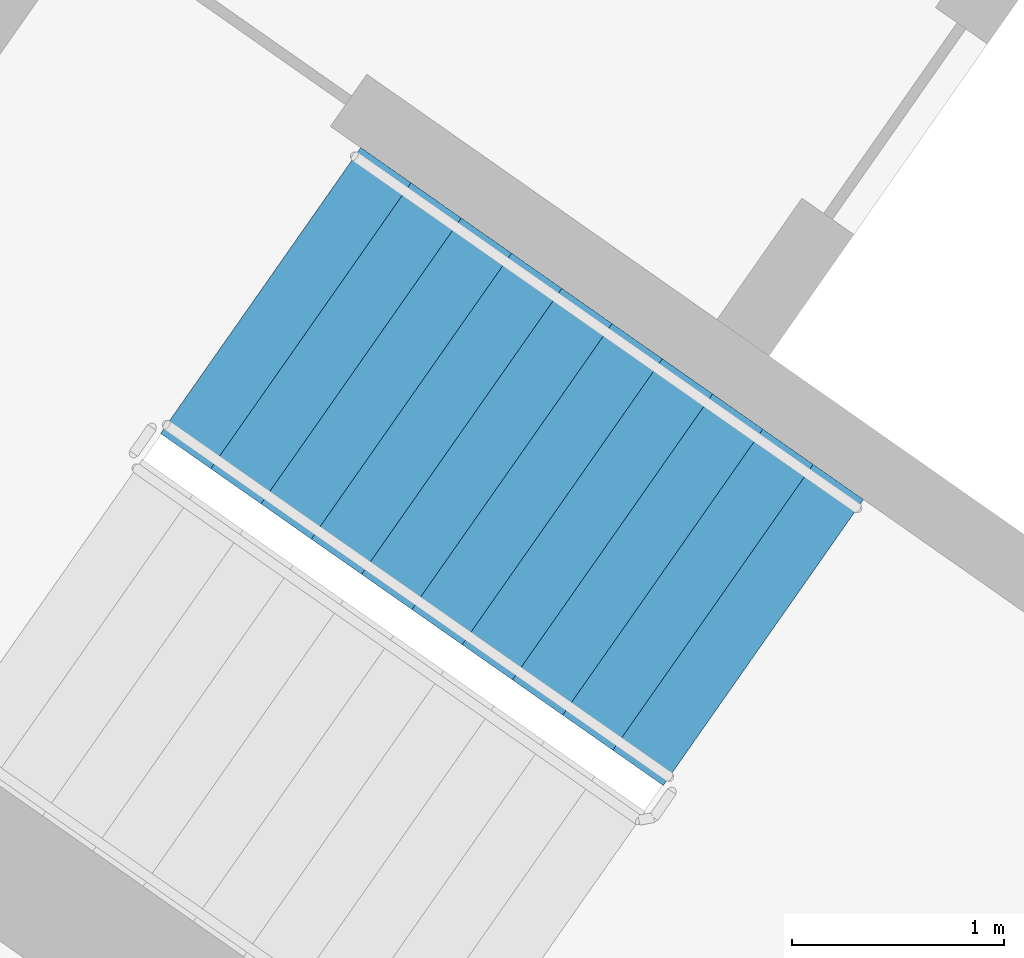
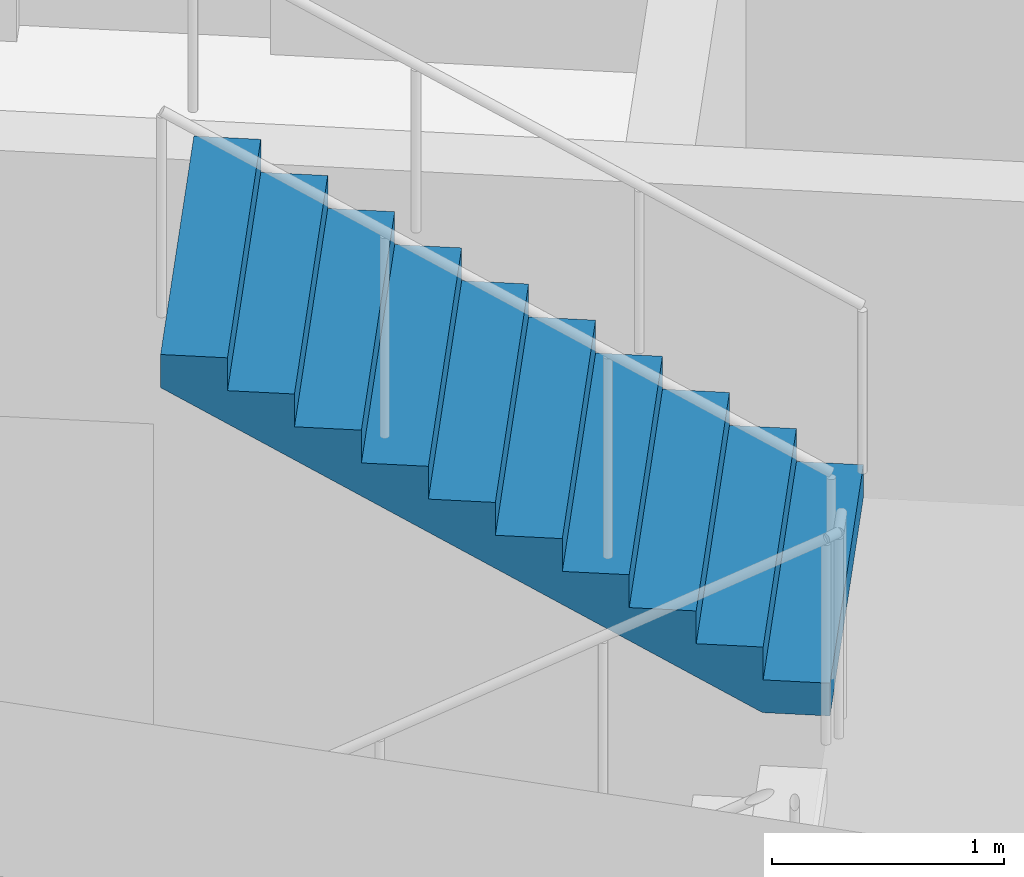
# One storey, part 11 of 28: 1 stair flight, 1 element without a shape of its own.
"""IFC4 building model written with IfcOpenShell, lengths in metres."""

from ifc_helpers import new_model, si_unit, direction, frame, origin, place, context, subcontext, project, spatial, faceted_brep, material, type_object, element, aggregate, save


model = new_model("IFC4")

# Units and contexts
model_context = context("Model", 3, precision=1e-05, world=origin(), true_north=direction((0.0, 1.0)))
body_context = subcontext(model_context, "Body", "Model", "MODEL_VIEW")
ifc_project = project(units=[si_unit("LENGTHUNIT", "METRE"), si_unit("AREAUNIT", "SQUARE_METRE"), si_unit("VOLUMEUNIT", "CUBIC_METRE"), si_unit("PLANEANGLEUNIT", "RADIAN"), si_unit("MASSUNIT", "GRAM", prefix="KILO")], contexts=[model_context])

# Site, building, storey
site_placement = place(None, origin())
site = spatial("IfcSite", under=ifc_project, at=site_placement, CompositionType="ELEMENT")
building_placement = place(site_placement, origin())
building = spatial("IfcBuilding", under=site, at=building_placement, Name="Qamariyya Broadcast Tower", CompositionType="ELEMENT")
storey_placement = place(building_placement, frame((0.0, 0.0, 218.89990234375)))
storey = spatial("IfcBuildingStorey", under=building, at=storey_placement, Name="L52", CompositionType="ELEMENT", Elevation=218.89990234375)

# Stair, stair flight
ifc_material = material(Name="Concrete C50/60", Category="concrete")
stair_type = type_object("IfcStairType", Name="Exit stair 22 risers of 173 mm", PredefinedType="HALF_TURN_STAIR", material=ifc_material)
stair_placement = place(storey_placement, origin())
stair = element("IfcStair", 1, at=stair_placement, inside=storey, type_object=stair_type, Name="L52 Stair W1", PredefinedType="HALF_TURN_STAIR")
stair_flight_type = type_object("IfcStairFlightType", Name="Exit stair flight 11 risers of 173 mm", PredefinedType="STRAIGHT", material=ifc_material)
stair_flight_placement = place(storey_placement, frame((-43.660888671875, -57.17138671875, 1.900146484375), z_axis=(0.0, 0.0, 1.0), x_axis=(-0.819152044289, 0.573576436351, 0.0)))
stair_flight = element("IfcStairFlight", 2, at=stair_flight_placement, type_object=stair_flight_type, Name="ST-W1 flight 2", NumberOfRisers=11, NumberOfTreads=10, PredefinedType="STRAIGHT", RiserHeight=0.172727273, TreadLength=0.29, context=body_context, shape_type="Brep", body=[
    faceted_brep([(0.0, 0.824951171875, 0.0), (0.0, 0.824951171875, 0.172607421875), (0.2900390625, 0.824951171875, 0.172607421875), (0.2900390625, 0.824951171875, 0.345458984375), (0.580078125, 0.824951171875, 0.345458984375), (0.580078125, 0.824951171875, 0.51806640625), (0.8701171875, 0.824951171875, 0.51806640625), (0.8701171875, 0.824951171875, 0.69091796875), (1.159912109375, 0.824951171875, 0.69091796875), (1.159912109375, 0.824951171875, 0.863525390625), (1.449951171875, 0.824951171875, 0.863525390625), (1.449951171875, 0.824951171875, 1.036376953125), (1.739990234375, 0.824951171875, 1.036376953125), (1.739990234375, 0.824951171875, 1.208984375), (2.030029296875, 0.824951171875, 1.208984375), (2.030029296875, 0.824951171875, 1.3818359375), (2.320068359375, 0.824951171875, 1.3818359375), (2.320068359375, 0.824951171875, 1.554443359375), (2.610107421875, 0.824951171875, 1.554443359375), (2.610107421875, 0.824951171875, 1.727294921875), (2.89990234375, 0.824951171875, 1.727294921875), (2.89990234375, 0.824951171875, 1.552734375), (0.29296875, 0.824951171875, 0.0), (0.29296875, -0.824951171875, 0.0), (2.89990234375, -0.824951171875, 1.552734375), (2.89990234375, -0.824951171875, 1.727294921875), (2.610107421875, -0.824951171875, 1.727294921875), (2.610107421875, -0.824951171875, 1.554443359375), (2.320068359375, -0.824951171875, 1.554443359375), (2.320068359375, -0.824951171875, 1.3818359375), (2.030029296875, -0.824951171875, 1.3818359375), (2.030029296875, -0.824951171875, 1.208984375), (1.739990234375, -0.824951171875, 1.208984375), (1.739990234375, -0.824951171875, 1.036376953125), (1.449951171875, -0.824951171875, 1.036376953125), (1.449951171875, -0.824951171875, 0.863525390625), (1.159912109375, -0.824951171875, 0.863525390625), (1.159912109375, -0.824951171875, 0.69091796875), (0.8701171875, -0.824951171875, 0.69091796875), (0.8701171875, -0.824951171875, 0.51806640625), (0.580078125, -0.824951171875, 0.51806640625), (0.580078125, -0.824951171875, 0.345458984375), (0.2900390625, -0.824951171875, 0.345458984375), (0.2900390625, -0.824951171875, 0.172607421875), (0.0, -0.824951171875, 0.172607421875), (0.0, -0.824951171875, 0.0), (0.0, 0.10009765625, 0.0), (0.0, 0.086669921875, 0.0), (0.0, 0.0732421875, 0.0), (0.0, 0.06005859375, 0.0), (0.0, 0.046630859375, 0.0), (0.0, 0.033447265625, 0.0), (0.0, 0.02001953125, 0.0), (0.0, 0.006591796875, 0.0), (0.0, -0.006591796875, 0.0), (0.0, -0.02001953125, 0.0), (0.0, -0.033447265625, 0.0), (0.0, -0.046630859375, 0.0), (0.0, -0.06005859375, 0.0), (0.0, -0.0732421875, 0.0), (0.0, -0.086669921875, 0.0), (0.0, -0.10009765625, 0.0), (0.0, -0.10009765625, 0.172607421875), (0.0, -0.086669921875, 0.172607421875), (0.0, -0.0732421875, 0.172607421875), (0.0, -0.06005859375, 0.172607421875), (0.0, -0.046630859375, 0.172607421875), (0.0, -0.033447265625, 0.172607421875), (0.0, -0.02001953125, 0.172607421875), (0.0, -0.006591796875, 0.172607421875), (0.0, 0.006591796875, 0.172607421875), (0.0, 0.02001953125, 0.172607421875), (0.0, 0.033447265625, 0.172607421875), (0.0, 0.046630859375, 0.172607421875), (0.0, 0.06005859375, 0.172607421875), (0.0, 0.0732421875, 0.172607421875), (0.0, 0.086669921875, 0.172607421875), (0.0, 0.10009765625, 0.172607421875), (0.2900390625, -0.10009765625, 0.172607421875), (0.2900390625, -0.086669921875, 0.172607421875), (0.2900390625, -0.0732421875, 0.172607421875), (0.2900390625, -0.06005859375, 0.172607421875), (0.2900390625, -0.046630859375, 0.172607421875), (0.2900390625, -0.033447265625, 0.172607421875), (0.2900390625, -0.02001953125, 0.172607421875), (0.2900390625, -0.006591796875, 0.172607421875), (0.2900390625, 0.006591796875, 0.172607421875), (0.2900390625, 0.02001953125, 0.172607421875), (0.2900390625, 0.033447265625, 0.172607421875), (0.2900390625, 0.046630859375, 0.172607421875), (0.2900390625, 0.06005859375, 0.172607421875), (0.2900390625, 0.0732421875, 0.172607421875), (0.2900390625, 0.086669921875, 0.172607421875), (0.2900390625, 0.10009765625, 0.172607421875), (0.2900390625, -0.10009765625, 0.345458984375), (0.2900390625, -0.086669921875, 0.345458984375), (0.2900390625, -0.0732421875, 0.345458984375), (0.2900390625, -0.06005859375, 0.345458984375), (0.2900390625, -0.046630859375, 0.345458984375), (0.2900390625, -0.033447265625, 0.345458984375), (0.2900390625, -0.02001953125, 0.345458984375), (0.2900390625, -0.006591796875, 0.345458984375), (0.2900390625, 0.006591796875, 0.345458984375), (0.2900390625, 0.02001953125, 0.345458984375), (0.2900390625, 0.033447265625, 0.345458984375), (0.2900390625, 0.046630859375, 0.345458984375), (0.2900390625, 0.06005859375, 0.345458984375), (0.2900390625, 0.0732421875, 0.345458984375), (0.2900390625, 0.086669921875, 0.345458984375), (0.2900390625, 0.10009765625, 0.345458984375), (0.580078125, -0.10009765625, 0.345458984375), (0.580078125, -0.086669921875, 0.345458984375), (0.580078125, -0.0732421875, 0.345458984375), (0.580078125, -0.06005859375, 0.345458984375), (0.580078125, -0.046630859375, 0.345458984375), (0.580078125, -0.033447265625, 0.345458984375), (0.580078125, -0.02001953125, 0.345458984375), (0.580078125, -0.006591796875, 0.345458984375), (0.580078125, 0.006591796875, 0.345458984375), (0.580078125, 0.02001953125, 0.345458984375), (0.580078125, 0.033447265625, 0.345458984375), (0.580078125, 0.046630859375, 0.345458984375), (0.580078125, 0.06005859375, 0.345458984375), (0.580078125, 0.0732421875, 0.345458984375), (0.580078125, 0.086669921875, 0.345458984375), (0.580078125, 0.10009765625, 0.345458984375), (0.580078125, -0.10009765625, 0.51806640625), (0.580078125, -0.086669921875, 0.51806640625), (0.580078125, -0.0732421875, 0.51806640625), (0.580078125, -0.06005859375, 0.51806640625), (0.580078125, -0.046630859375, 0.51806640625), (0.580078125, -0.033447265625, 0.51806640625), (0.580078125, -0.02001953125, 0.51806640625), (0.580078125, -0.006591796875, 0.51806640625), (0.580078125, 0.006591796875, 0.51806640625), (0.580078125, 0.02001953125, 0.51806640625), (0.580078125, 0.033447265625, 0.51806640625), (0.580078125, 0.046630859375, 0.51806640625), (0.580078125, 0.06005859375, 0.51806640625), (0.580078125, 0.0732421875, 0.51806640625), (0.580078125, 0.086669921875, 0.51806640625), (0.580078125, 0.10009765625, 0.51806640625), (0.8701171875, -0.10009765625, 0.51806640625), (0.8701171875, -0.086669921875, 0.51806640625), (0.8701171875, -0.0732421875, 0.51806640625), (0.8701171875, -0.06005859375, 0.51806640625), (0.8701171875, -0.046630859375, 0.51806640625), (0.8701171875, -0.033447265625, 0.51806640625), (0.8701171875, -0.02001953125, 0.51806640625), (0.8701171875, -0.006591796875, 0.51806640625), (0.8701171875, 0.006591796875, 0.51806640625), (0.8701171875, 0.02001953125, 0.51806640625), (0.8701171875, 0.033447265625, 0.51806640625), (0.8701171875, 0.046630859375, 0.51806640625), (0.8701171875, 0.06005859375, 0.51806640625), (0.8701171875, 0.0732421875, 0.51806640625), (0.8701171875, 0.086669921875, 0.51806640625), (0.8701171875, 0.10009765625, 0.51806640625), (0.8701171875, -0.10009765625, 0.69091796875), (0.8701171875, -0.086669921875, 0.69091796875), (0.8701171875, -0.0732421875, 0.69091796875), (0.8701171875, -0.06005859375, 0.69091796875), (0.8701171875, -0.046630859375, 0.69091796875), (0.8701171875, -0.033447265625, 0.69091796875), (0.8701171875, -0.02001953125, 0.69091796875), (0.8701171875, -0.006591796875, 0.69091796875), (0.8701171875, 0.006591796875, 0.69091796875), (0.8701171875, 0.02001953125, 0.69091796875), (0.8701171875, 0.033447265625, 0.69091796875), (0.8701171875, 0.046630859375, 0.69091796875), (0.8701171875, 0.06005859375, 0.69091796875), (0.8701171875, 0.0732421875, 0.69091796875), (0.8701171875, 0.086669921875, 0.69091796875), (0.8701171875, 0.10009765625, 0.69091796875), (1.159912109375, -0.10009765625, 0.69091796875), (1.159912109375, -0.086669921875, 0.69091796875), (1.159912109375, -0.0732421875, 0.69091796875), (1.159912109375, -0.06005859375, 0.69091796875), (1.159912109375, -0.046630859375, 0.69091796875), (1.159912109375, -0.033447265625, 0.69091796875), (1.159912109375, -0.02001953125, 0.69091796875), (1.159912109375, -0.006591796875, 0.69091796875), (1.159912109375, 0.006591796875, 0.69091796875), (1.159912109375, 0.02001953125, 0.69091796875), (1.159912109375, 0.033447265625, 0.69091796875), (1.159912109375, 0.046630859375, 0.69091796875), (1.159912109375, 0.06005859375, 0.69091796875), (1.159912109375, 0.0732421875, 0.69091796875), (1.159912109375, 0.086669921875, 0.69091796875), (1.159912109375, 0.10009765625, 0.69091796875), (1.159912109375, -0.10009765625, 0.863525390625), (1.159912109375, -0.086669921875, 0.863525390625), (1.159912109375, -0.0732421875, 0.863525390625), (1.159912109375, -0.06005859375, 0.863525390625), (1.159912109375, -0.046630859375, 0.863525390625), (1.159912109375, -0.033447265625, 0.863525390625), (1.159912109375, -0.02001953125, 0.863525390625), (1.159912109375, -0.006591796875, 0.863525390625), (1.159912109375, 0.006591796875, 0.863525390625), (1.159912109375, 0.02001953125, 0.863525390625), (1.159912109375, 0.033447265625, 0.863525390625), (1.159912109375, 0.046630859375, 0.863525390625), (1.159912109375, 0.06005859375, 0.863525390625), (1.159912109375, 0.0732421875, 0.863525390625), (1.159912109375, 0.086669921875, 0.863525390625), (1.159912109375, 0.10009765625, 0.863525390625), (1.449951171875, -0.10009765625, 0.863525390625), (1.449951171875, -0.086669921875, 0.863525390625), (1.449951171875, -0.0732421875, 0.863525390625), (1.449951171875, -0.06005859375, 0.863525390625), (1.449951171875, -0.046630859375, 0.863525390625), (1.449951171875, -0.033447265625, 0.863525390625), (1.449951171875, -0.02001953125, 0.863525390625), (1.449951171875, -0.006591796875, 0.863525390625), (1.449951171875, 0.006591796875, 0.863525390625), (1.449951171875, 0.02001953125, 0.863525390625), (1.449951171875, 0.033447265625, 0.863525390625), (1.449951171875, 0.046630859375, 0.863525390625), (1.449951171875, 0.06005859375, 0.863525390625), (1.449951171875, 0.0732421875, 0.863525390625), (1.449951171875, 0.086669921875, 0.863525390625), (1.449951171875, 0.10009765625, 0.863525390625), (1.449951171875, -0.10009765625, 1.036376953125), (1.449951171875, -0.086669921875, 1.036376953125), (1.449951171875, -0.0732421875, 1.036376953125), (1.449951171875, -0.06005859375, 1.036376953125), (1.449951171875, -0.046630859375, 1.036376953125), (1.449951171875, -0.033447265625, 1.036376953125), (1.449951171875, -0.02001953125, 1.036376953125), (1.449951171875, -0.006591796875, 1.036376953125), (1.449951171875, 0.006591796875, 1.036376953125), (1.449951171875, 0.02001953125, 1.036376953125), (1.449951171875, 0.033447265625, 1.036376953125), (1.449951171875, 0.046630859375, 1.036376953125), (1.449951171875, 0.06005859375, 1.036376953125), (1.449951171875, 0.0732421875, 1.036376953125), (1.449951171875, 0.086669921875, 1.036376953125), (1.449951171875, 0.10009765625, 1.036376953125), (1.739990234375, -0.10009765625, 1.036376953125), (1.739990234375, -0.086669921875, 1.036376953125), (1.739990234375, -0.0732421875, 1.036376953125), (1.739990234375, -0.06005859375, 1.036376953125), (1.739990234375, -0.046630859375, 1.036376953125), (1.739990234375, -0.033447265625, 1.036376953125), (1.739990234375, -0.02001953125, 1.036376953125), (1.739990234375, -0.006591796875, 1.036376953125), (1.739990234375, 0.006591796875, 1.036376953125), (1.739990234375, 0.02001953125, 1.036376953125), (1.739990234375, 0.033447265625, 1.036376953125), (1.739990234375, 0.046630859375, 1.036376953125), (1.739990234375, 0.06005859375, 1.036376953125), (1.739990234375, 0.0732421875, 1.036376953125), (1.739990234375, 0.086669921875, 1.036376953125), (1.739990234375, 0.10009765625, 1.036376953125), (1.739990234375, -0.10009765625, 1.208984375), (1.739990234375, -0.086669921875, 1.208984375), (1.739990234375, -0.0732421875, 1.208984375), (1.739990234375, -0.06005859375, 1.208984375), (1.739990234375, -0.046630859375, 1.208984375), (1.739990234375, -0.033447265625, 1.208984375), (1.739990234375, -0.02001953125, 1.208984375), (1.739990234375, -0.006591796875, 1.208984375), (1.739990234375, 0.006591796875, 1.208984375), (1.739990234375, 0.02001953125, 1.208984375), (1.739990234375, 0.033447265625, 1.208984375), (1.739990234375, 0.046630859375, 1.208984375), (1.739990234375, 0.06005859375, 1.208984375), (1.739990234375, 0.0732421875, 1.208984375), (1.739990234375, 0.086669921875, 1.208984375), (1.739990234375, 0.10009765625, 1.208984375), (2.030029296875, -0.10009765625, 1.208984375), (2.030029296875, -0.086669921875, 1.208984375), (2.030029296875, -0.0732421875, 1.208984375), (2.030029296875, -0.06005859375, 1.208984375), (2.030029296875, -0.046630859375, 1.208984375), (2.030029296875, -0.033447265625, 1.208984375), (2.030029296875, -0.02001953125, 1.208984375), (2.030029296875, -0.006591796875, 1.208984375), (2.030029296875, 0.006591796875, 1.208984375), (2.030029296875, 0.02001953125, 1.208984375), (2.030029296875, 0.033447265625, 1.208984375), (2.030029296875, 0.046630859375, 1.208984375), (2.030029296875, 0.06005859375, 1.208984375), (2.030029296875, 0.0732421875, 1.208984375), (2.030029296875, 0.086669921875, 1.208984375), (2.030029296875, 0.10009765625, 1.208984375), (2.030029296875, -0.10009765625, 1.3818359375), (2.030029296875, -0.086669921875, 1.3818359375), (2.030029296875, -0.0732421875, 1.3818359375), (2.030029296875, -0.06005859375, 1.3818359375), (2.030029296875, -0.046630859375, 1.3818359375), (2.030029296875, -0.033447265625, 1.3818359375), (2.030029296875, -0.02001953125, 1.3818359375), (2.030029296875, -0.006591796875, 1.3818359375), (2.030029296875, 0.006591796875, 1.3818359375), (2.030029296875, 0.02001953125, 1.3818359375), (2.030029296875, 0.033447265625, 1.3818359375), (2.030029296875, 0.046630859375, 1.3818359375), (2.030029296875, 0.06005859375, 1.3818359375), (2.030029296875, 0.0732421875, 1.3818359375), (2.030029296875, 0.086669921875, 1.3818359375), (2.030029296875, 0.10009765625, 1.3818359375), (2.320068359375, -0.10009765625, 1.3818359375), (2.320068359375, -0.086669921875, 1.3818359375), (2.320068359375, -0.0732421875, 1.3818359375), (2.320068359375, -0.06005859375, 1.3818359375), (2.320068359375, -0.046630859375, 1.3818359375), (2.320068359375, -0.033447265625, 1.3818359375), (2.320068359375, -0.02001953125, 1.3818359375), (2.320068359375, -0.006591796875, 1.3818359375), (2.320068359375, 0.006591796875, 1.3818359375), (2.320068359375, 0.02001953125, 1.3818359375), (2.320068359375, 0.033447265625, 1.3818359375), (2.320068359375, 0.046630859375, 1.3818359375), (2.320068359375, 0.06005859375, 1.3818359375), (2.320068359375, 0.0732421875, 1.3818359375), (2.320068359375, 0.086669921875, 1.3818359375), (2.320068359375, 0.10009765625, 1.3818359375), (2.320068359375, -0.10009765625, 1.554443359375), (2.320068359375, -0.086669921875, 1.554443359375), (2.320068359375, -0.0732421875, 1.554443359375), (2.320068359375, -0.06005859375, 1.554443359375), (2.320068359375, -0.046630859375, 1.554443359375), (2.320068359375, -0.033447265625, 1.554443359375), (2.320068359375, -0.02001953125, 1.554443359375), (2.320068359375, -0.006591796875, 1.554443359375), (2.320068359375, 0.006591796875, 1.554443359375), (2.320068359375, 0.02001953125, 1.554443359375), (2.320068359375, 0.033447265625, 1.554443359375), (2.320068359375, 0.046630859375, 1.554443359375), (2.320068359375, 0.06005859375, 1.554443359375), (2.320068359375, 0.0732421875, 1.554443359375), (2.320068359375, 0.086669921875, 1.554443359375), (2.320068359375, 0.10009765625, 1.554443359375), (2.610107421875, -0.10009765625, 1.554443359375), (2.610107421875, -0.086669921875, 1.554443359375), (2.610107421875, -0.0732421875, 1.554443359375), (2.610107421875, -0.06005859375, 1.554443359375), (2.610107421875, -0.046630859375, 1.554443359375), (2.610107421875, -0.033447265625, 1.554443359375), (2.610107421875, -0.02001953125, 1.554443359375), (2.610107421875, -0.006591796875, 1.554443359375), (2.610107421875, 0.006591796875, 1.554443359375), (2.610107421875, 0.02001953125, 1.554443359375), (2.610107421875, 0.033447265625, 1.554443359375), (2.610107421875, 0.046630859375, 1.554443359375), (2.610107421875, 0.06005859375, 1.554443359375), (2.610107421875, 0.0732421875, 1.554443359375), (2.610107421875, 0.086669921875, 1.554443359375), (2.610107421875, 0.10009765625, 1.554443359375), (2.610107421875, -0.10009765625, 1.727294921875), (2.610107421875, -0.086669921875, 1.727294921875), (2.610107421875, -0.0732421875, 1.727294921875), (2.610107421875, -0.06005859375, 1.727294921875), (2.610107421875, -0.046630859375, 1.727294921875), (2.610107421875, -0.033447265625, 1.727294921875), (2.610107421875, -0.02001953125, 1.727294921875), (2.610107421875, -0.006591796875, 1.727294921875), (2.610107421875, 0.006591796875, 1.727294921875), (2.610107421875, 0.02001953125, 1.727294921875), (2.610107421875, 0.033447265625, 1.727294921875), (2.610107421875, 0.046630859375, 1.727294921875), (2.610107421875, 0.06005859375, 1.727294921875), (2.610107421875, 0.0732421875, 1.727294921875), (2.610107421875, 0.086669921875, 1.727294921875), (2.610107421875, 0.10009765625, 1.727294921875), (2.89990234375, -0.10009765625, 1.727294921875), (2.89990234375, -0.086669921875, 1.727294921875), (2.89990234375, -0.0732421875, 1.727294921875), (2.89990234375, -0.06005859375, 1.727294921875), (2.89990234375, -0.046630859375, 1.727294921875), (2.89990234375, -0.033447265625, 1.727294921875), (2.89990234375, -0.02001953125, 1.727294921875), (2.89990234375, -0.006591796875, 1.727294921875), (2.89990234375, 0.006591796875, 1.727294921875), (2.89990234375, 0.02001953125, 1.727294921875), (2.89990234375, 0.033447265625, 1.727294921875), (2.89990234375, 0.046630859375, 1.727294921875), (2.89990234375, 0.06005859375, 1.727294921875), (2.89990234375, 0.0732421875, 1.727294921875), (2.89990234375, 0.086669921875, 1.727294921875), (2.89990234375, 0.10009765625, 1.727294921875), (2.89990234375, -0.10009765625, 1.552734375), (2.89990234375, -0.086669921875, 1.552734375), (2.89990234375, -0.0732421875, 1.552734375), (2.89990234375, -0.06005859375, 1.552734375), (2.89990234375, -0.046630859375, 1.552734375), (2.89990234375, -0.033447265625, 1.552734375), (2.89990234375, -0.02001953125, 1.552734375), (2.89990234375, -0.006591796875, 1.552734375), (2.89990234375, 0.006591796875, 1.552734375), (2.89990234375, 0.02001953125, 1.552734375), (2.89990234375, 0.033447265625, 1.552734375), (2.89990234375, 0.046630859375, 1.552734375), (2.89990234375, 0.06005859375, 1.552734375), (2.89990234375, 0.0732421875, 1.552734375), (2.89990234375, 0.086669921875, 1.552734375), (2.89990234375, 0.10009765625, 1.552734375), (0.29296875, -0.10009765625, 0.0), (0.29296875, -0.086669921875, 0.0), (0.29296875, -0.0732421875, 0.0), (0.29296875, -0.06005859375, 0.0), (0.29296875, -0.046630859375, 0.0), (0.29296875, -0.033447265625, 0.0), (0.29296875, -0.02001953125, 0.0), (0.29296875, -0.006591796875, 0.0), (0.29296875, 0.006591796875, 0.0), (0.29296875, 0.02001953125, 0.0), (0.29296875, 0.033447265625, 0.0), (0.29296875, 0.046630859375, 0.0), (0.29296875, 0.06005859375, 0.0), (0.29296875, 0.0732421875, 0.0), (0.29296875, 0.086669921875, 0.0), (0.29296875, 0.10009765625, 0.0)], [[[0, 1, 2, 3, 4, 5, 6, 7, 8, 9, 10, 11, 12, 13, 14, 15, 16, 17, 18, 19, 20, 21, 22]], [[23, 24, 25, 26, 27, 28, 29, 30, 31, 32, 33, 34, 35, 36, 37, 38, 39, 40, 41, 42, 43, 44, 45]], [[0, 46, 47, 48, 49, 50, 51, 52, 53, 54, 55, 56, 57, 58, 59, 60, 61, 45, 44, 62, 63, 64, 65, 66, 67, 68, 69, 70, 71, 72, 73, 74, 75, 76, 77, 1]], [[1, 77, 76, 75, 74, 73, 72, 71, 70, 69, 68, 67, 66, 65, 64, 63, 62, 44, 43, 78, 79, 80, 81, 82, 83, 84, 85, 86, 87, 88, 89, 90, 91, 92, 93, 2]], [[2, 93, 92, 91, 90, 89, 88, 87, 86, 85, 84, 83, 82, 81, 80, 79, 78, 43, 42, 94, 95, 96, 97, 98, 99, 100, 101, 102, 103, 104, 105, 106, 107, 108, 109, 3]], [[3, 109, 108, 107, 106, 105, 104, 103, 102, 101, 100, 99, 98, 97, 96, 95, 94, 42, 41, 110, 111, 112, 113, 114, 115, 116, 117, 118, 119, 120, 121, 122, 123, 124, 125, 4]], [[4, 125, 124, 123, 122, 121, 120, 119, 118, 117, 116, 115, 114, 113, 112, 111, 110, 41, 40, 126, 127, 128, 129, 130, 131, 132, 133, 134, 135, 136, 137, 138, 139, 140, 141, 5]], [[5, 141, 140, 139, 138, 137, 136, 135, 134, 133, 132, 131, 130, 129, 128, 127, 126, 40, 39, 142, 143, 144, 145, 146, 147, 148, 149, 150, 151, 152, 153, 154, 155, 156, 157, 6]], [[6, 157, 156, 155, 154, 153, 152, 151, 150, 149, 148, 147, 146, 145, 144, 143, 142, 39, 38, 158, 159, 160, 161, 162, 163, 164, 165, 166, 167, 168, 169, 170, 171, 172, 173, 7]], [[7, 173, 172, 171, 170, 169, 168, 167, 166, 165, 164, 163, 162, 161, 160, 159, 158, 38, 37, 174, 175, 176, 177, 178, 179, 180, 181, 182, 183, 184, 185, 186, 187, 188, 189, 8]], [[8, 189, 188, 187, 186, 185, 184, 183, 182, 181, 180, 179, 178, 177, 176, 175, 174, 37, 36, 190, 191, 192, 193, 194, 195, 196, 197, 198, 199, 200, 201, 202, 203, 204, 205, 9]], [[9, 205, 204, 203, 202, 201, 200, 199, 198, 197, 196, 195, 194, 193, 192, 191, 190, 36, 35, 206, 207, 208, 209, 210, 211, 212, 213, 214, 215, 216, 217, 218, 219, 220, 221, 10]], [[10, 221, 220, 219, 218, 217, 216, 215, 214, 213, 212, 211, 210, 209, 208, 207, 206, 35, 34, 222, 223, 224, 225, 226, 227, 228, 229, 230, 231, 232, 233, 234, 235, 236, 237, 11]], [[11, 237, 236, 235, 234, 233, 232, 231, 230, 229, 228, 227, 226, 225, 224, 223, 222, 34, 33, 238, 239, 240, 241, 242, 243, 244, 245, 246, 247, 248, 249, 250, 251, 252, 253, 12]], [[12, 253, 252, 251, 250, 249, 248, 247, 246, 245, 244, 243, 242, 241, 240, 239, 238, 33, 32, 254, 255, 256, 257, 258, 259, 260, 261, 262, 263, 264, 265, 266, 267, 268, 269, 13]], [[13, 269, 268, 267, 266, 265, 264, 263, 262, 261, 260, 259, 258, 257, 256, 255, 254, 32, 31, 270, 271, 272, 273, 274, 275, 276, 277, 278, 279, 280, 281, 282, 283, 284, 285, 14]], [[14, 285, 284, 283, 282, 281, 280, 279, 278, 277, 276, 275, 274, 273, 272, 271, 270, 31, 30, 286, 287, 288, 289, 290, 291, 292, 293, 294, 295, 296, 297, 298, 299, 300, 301, 15]], [[15, 301, 300, 299, 298, 297, 296, 295, 294, 293, 292, 291, 290, 289, 288, 287, 286, 30, 29, 302, 303, 304, 305, 306, 307, 308, 309, 310, 311, 312, 313, 314, 315, 316, 317, 16]], [[16, 317, 316, 315, 314, 313, 312, 311, 310, 309, 308, 307, 306, 305, 304, 303, 302, 29, 28, 318, 319, 320, 321, 322, 323, 324, 325, 326, 327, 328, 329, 330, 331, 332, 333, 17]], [[17, 333, 332, 331, 330, 329, 328, 327, 326, 325, 324, 323, 322, 321, 320, 319, 318, 28, 27, 334, 335, 336, 337, 338, 339, 340, 341, 342, 343, 344, 345, 346, 347, 348, 349, 18]], [[18, 349, 348, 347, 346, 345, 344, 343, 342, 341, 340, 339, 338, 337, 336, 335, 334, 27, 26, 350, 351, 352, 353, 354, 355, 356, 357, 358, 359, 360, 361, 362, 363, 364, 365, 19]], [[19, 365, 364, 363, 362, 361, 360, 359, 358, 357, 356, 355, 354, 353, 352, 351, 350, 26, 25, 366, 367, 368, 369, 370, 371, 372, 373, 374, 375, 376, 377, 378, 379, 380, 381, 20]], [[20, 381, 380, 379, 378, 377, 376, 375, 374, 373, 372, 371, 370, 369, 368, 367, 366, 25, 24, 382, 383, 384, 385, 386, 387, 388, 389, 390, 391, 392, 393, 394, 395, 396, 397, 21]], [[21, 397, 396, 395, 394, 393, 392, 391, 390, 389, 388, 387, 386, 385, 384, 383, 382, 24, 23, 398, 399, 400, 401, 402, 403, 404, 405, 406, 407, 408, 409, 410, 411, 412, 413, 22]], [[22, 413, 412, 411, 410, 409, 408, 407, 406, 405, 404, 403, 402, 401, 400, 399, 398, 23, 45, 61, 60, 59, 58, 57, 56, 55, 54, 53, 52, 51, 50, 49, 48, 47, 46, 0]]]),
])
aggregate(stair, [stair_flight])

save(model, "model.ifc")
